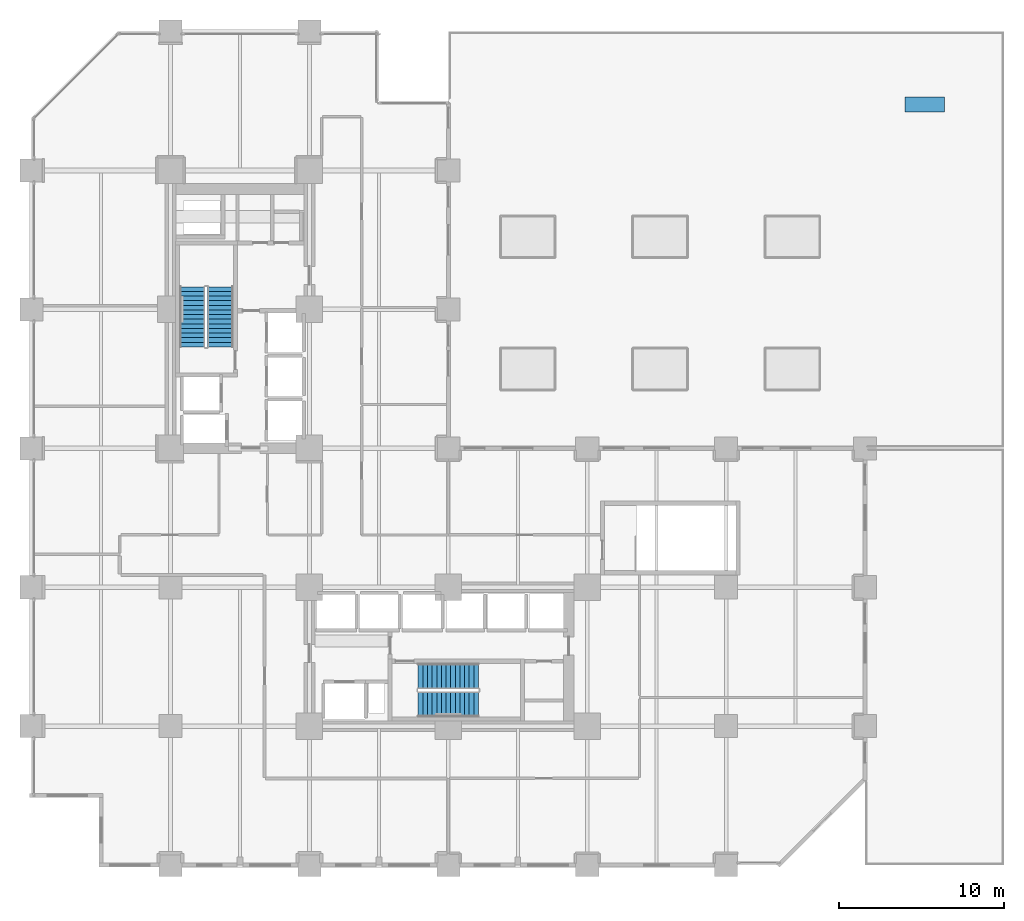
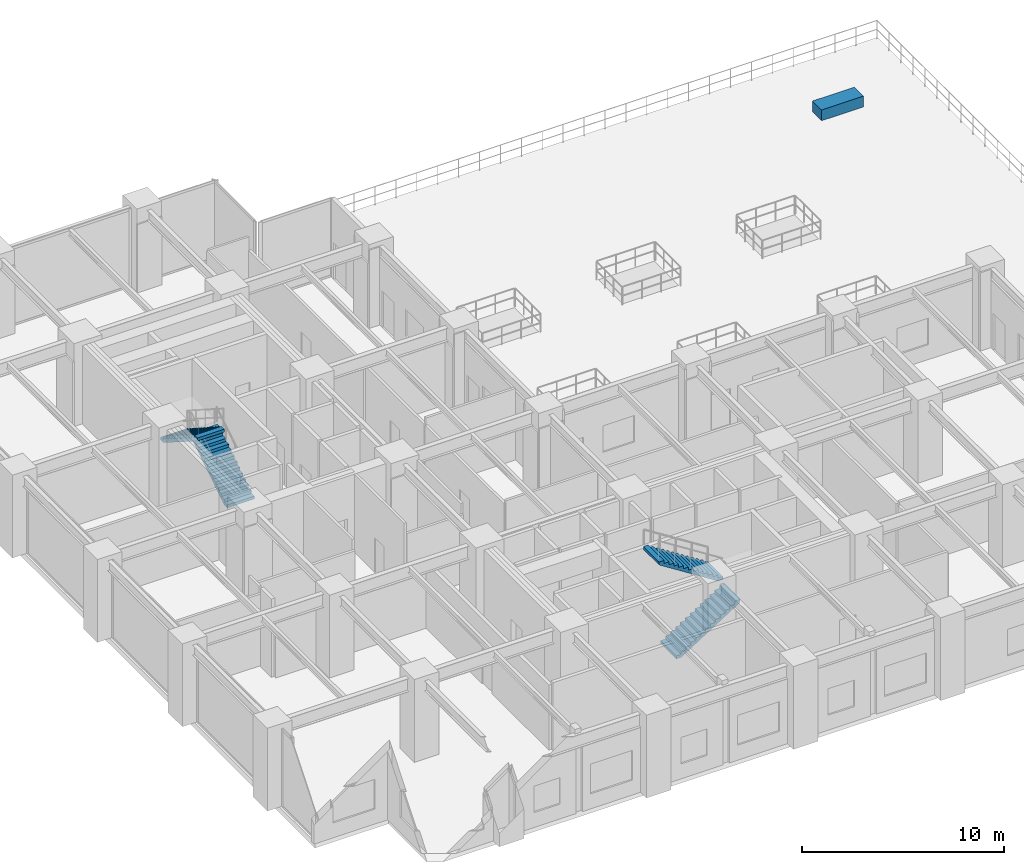
# One storey, part 17 of 21: 4 stair flights, 1 discrete accessory, 2 elements without a shape of their own.
"""IFC4 building model written with IfcOpenShell, lengths in metres."""

from ifc_helpers import new_model, si_unit, direction, frame, origin, origin_2d, place, context, subcontext, project, spatial, polyline, rectangle, outline, extrude, material, type_object, element, aggregate, save


model = new_model("IFC4")

# Units and contexts
model_context = context("Model", 3, precision=1e-05, world=origin(), true_north=direction((0.0, 1.0)))
body_context = subcontext(model_context, "Body", "Model", "MODEL_VIEW")
ifc_project = project(units=[si_unit("LENGTHUNIT", "METRE"), si_unit("AREAUNIT", "SQUARE_METRE"), si_unit("VOLUMEUNIT", "CUBIC_METRE"), si_unit("PLANEANGLEUNIT", "RADIAN"), si_unit("MASSUNIT", "GRAM", prefix="KILO")], contexts=[model_context])

# Site, building, storey
site_placement = place(None, origin())
site = spatial("IfcSite", under=ifc_project, at=site_placement, CompositionType="ELEMENT")
building_placement = place(site_placement, origin())
building = spatial("IfcBuilding", under=site, at=building_placement, Name="Nerrivon Quay Data Exchange", CompositionType="ELEMENT")
storey_placement = place(building_placement, frame((0.0, 0.0, 19.800048828125)))
storey = spatial("IfcBuildingStorey", under=building, at=storey_placement, Name="L04", CompositionType="ELEMENT", Elevation=19.800048828125)

# Stair, stair flights
ifc_material_1 = material(Name="Concrete N50 (50 MPa)", Category="concrete")
stair_type = type_object("IfcStairType", Name="STAIR-DOG-50", PredefinedType="HALF_TURN_STAIR", material=ifc_material_1)
stair_1_placement = place(storey_placement, origin())
stair_1 = element("IfcStair", 1, at=stair_1_placement, inside=storey, type_object=stair_type, Name="L04 West Core Fire Stair ST01", PredefinedType="HALF_TURN_STAIR")
stair_flight_type = type_object("IfcStairFlightType", Name="FLIGHT-DOG-50", PredefinedType="STRAIGHT", material=ifc_material_1)
stair_flight_1_placement = place(storey_placement, frame((11.425048828125, 31.330078125, 0.0), z_axis=(0.0, 0.0, 1.0), x_axis=(0.0, 1.0, 0.0)))
stair_flight_1 = element("IfcStairFlight", 2, at=stair_flight_1_placement, type_object=stair_flight_type, Name="ST01 flight 1", NumberOfRisers=14, NumberOfTreads=13, PredefinedType="STRAIGHT", RiserHeight=0.178571429, TreadLength=0.28, context=body_context, shape_type="SweptSolid", body=[
    extrude(outline(polyline([(0.0, 0.0), (0.0, 0.178466796875), (0.280029296875, 0.178466796875), (0.280029296875, 0.357177734375), (0.56005859375, 0.357177734375), (0.56005859375, 0.53564453125), (0.840087890625, 0.53564453125), (0.840087890625, 0.71435546875), (1.1201171875, 0.71435546875), (1.1201171875, 0.892822265625), (1.39990234375, 0.892822265625), (1.39990234375, 1.071533203125), (1.679931640625, 1.071533203125), (1.679931640625, 1.25), (1.9599609375, 1.25), (1.9599609375, 1.428466796875), (2.239990234375, 1.428466796875), (2.239990234375, 1.607177734375), (2.52001953125, 1.607177734375), (2.52001953125, 1.78564453125), (2.800048828125, 1.78564453125), (2.800048828125, 1.96435546875), (3.080078125, 1.96435546875), (3.080078125, 2.142822265625), (3.360107421875, 2.142822265625), (3.360107421875, 2.321533203125), (3.639892578125, 2.321533203125), (3.639892578125, 2.5), (3.639892578125, 2.1435546875), (0.27880859375, 0.0), (0.0, 0.0)])), frame((0.0, 0.77490234375, 0.0), z_axis=(0.0, -1.0, 0.0), x_axis=(1.0, 0.0, 0.0)), (0.0, 0.0, 1.0), 1.550048828125),
])
stair_flight_2_placement = place(storey_placement, frame((9.72509765625, 34.969970703125, 2.5), z_axis=(0.0, 0.0, 1.0), x_axis=(0.0, -1.0, 0.0)))
stair_flight_2 = element("IfcStairFlight", 3, at=stair_flight_2_placement, type_object=stair_flight_type, Name="ST01 flight 2", NumberOfRisers=14, NumberOfTreads=13, PredefinedType="STRAIGHT", RiserHeight=0.178571429, TreadLength=0.28, context=body_context, shape_type="SweptSolid", body=[
    extrude(outline(polyline([(0.0, 0.0), (0.0, 0.178466796875), (0.280029296875, 0.178466796875), (0.280029296875, 0.357177734375), (0.56005859375, 0.357177734375), (0.56005859375, 0.53564453125), (0.840087890625, 0.53564453125), (0.840087890625, 0.71435546875), (1.1201171875, 0.71435546875), (1.1201171875, 0.892822265625), (1.39990234375, 0.892822265625), (1.39990234375, 1.071533203125), (1.679931640625, 1.071533203125), (1.679931640625, 1.25), (1.9599609375, 1.25), (1.9599609375, 1.428466796875), (2.239990234375, 1.428466796875), (2.239990234375, 1.607177734375), (2.52001953125, 1.607177734375), (2.52001953125, 1.78564453125), (2.800048828125, 1.78564453125), (2.800048828125, 1.96435546875), (3.080078125, 1.96435546875), (3.080078125, 2.142822265625), (3.360107421875, 2.142822265625), (3.360107421875, 2.321533203125), (3.639892578125, 2.321533203125), (3.639892578125, 2.5), (3.639892578125, 2.1435546875), (0.27880859375, 0.0), (0.0, 0.0)])), frame((0.0, 0.77490234375, 0.0), z_axis=(0.0, -1.0, 0.0), x_axis=(1.0, 0.0, 0.0)), (0.0, 0.0, 1.0), 1.550048828125),
])
aggregate(stair_1, [stair_flight_1, stair_flight_2])

stair_2_placement = place(storey_placement, origin())
stair_2 = element("IfcStair", 4, at=stair_2_placement, inside=storey, type_object=stair_type, Name="L04 East Core Fire Stair ST02", PredefinedType="HALF_TURN_STAIR")
stair_flight_3_placement = place(storey_placement, frame((23.3798828125, 9.72509765625, 0.0), z_axis=(0.0, 0.0, 1.0), x_axis=(1.0, 0.0, 0.0)))
stair_flight_3 = element("IfcStairFlight", 5, at=stair_flight_3_placement, type_object=stair_flight_type, Name="ST02 flight 1", NumberOfRisers=14, NumberOfTreads=13, PredefinedType="STRAIGHT", RiserHeight=0.178571429, TreadLength=0.28, context=body_context, shape_type="SweptSolid", body=[
    extrude(outline(polyline([(0.0, 0.0), (0.0, 0.178466796875), (0.280029296875, 0.178466796875), (0.280029296875, 0.357177734375), (0.56005859375, 0.357177734375), (0.56005859375, 0.53564453125), (0.840087890625, 0.53564453125), (0.840087890625, 0.71435546875), (1.1201171875, 0.71435546875), (1.1201171875, 0.892822265625), (1.39990234375, 0.892822265625), (1.39990234375, 1.071533203125), (1.679931640625, 1.071533203125), (1.679931640625, 1.25), (1.9599609375, 1.25), (1.9599609375, 1.428466796875), (2.239990234375, 1.428466796875), (2.239990234375, 1.607177734375), (2.52001953125, 1.607177734375), (2.52001953125, 1.78564453125), (2.800048828125, 1.78564453125), (2.800048828125, 1.96435546875), (3.080078125, 1.96435546875), (3.080078125, 2.142822265625), (3.360107421875, 2.142822265625), (3.360107421875, 2.321533203125), (3.639892578125, 2.321533203125), (3.639892578125, 2.5), (3.639892578125, 2.1435546875), (0.27880859375, 0.0), (0.0, 0.0)])), frame((0.0, 0.77490234375, 0.0), z_axis=(0.0, -1.0, 0.0), x_axis=(1.0, 0.0, 0.0)), (0.0, 0.0, 1.0), 1.550048828125),
])
stair_flight_4_placement = place(storey_placement, frame((27.02001953125, 11.425048828125, 2.5), z_axis=(0.0, 0.0, 1.0), x_axis=(-1.0, 0.0, 0.0)))
stair_flight_4 = element("IfcStairFlight", 6, at=stair_flight_4_placement, type_object=stair_flight_type, Name="ST02 flight 2", NumberOfRisers=14, NumberOfTreads=13, PredefinedType="STRAIGHT", RiserHeight=0.178571429, TreadLength=0.28, context=body_context, shape_type="SweptSolid", body=[
    extrude(outline(polyline([(0.0, 0.0), (0.0, 0.178466796875), (0.280029296875, 0.178466796875), (0.280029296875, 0.357177734375), (0.56005859375, 0.357177734375), (0.56005859375, 0.53564453125), (0.840087890625, 0.53564453125), (0.840087890625, 0.71435546875), (1.1201171875, 0.71435546875), (1.1201171875, 0.892822265625), (1.39990234375, 0.892822265625), (1.39990234375, 1.071533203125), (1.679931640625, 1.071533203125), (1.679931640625, 1.25), (1.9599609375, 1.25), (1.9599609375, 1.428466796875), (2.239990234375, 1.428466796875), (2.239990234375, 1.607177734375), (2.52001953125, 1.607177734375), (2.52001953125, 1.78564453125), (2.800048828125, 1.78564453125), (2.800048828125, 1.96435546875), (3.080078125, 1.96435546875), (3.080078125, 2.142822265625), (3.360107421875, 2.142822265625), (3.360107421875, 2.321533203125), (3.639892578125, 2.321533203125), (3.639892578125, 2.5), (3.639892578125, 2.1435546875), (0.27880859375, 0.0), (0.0, 0.0)])), frame((0.0, 0.77490234375, 0.0), z_axis=(0.0, -1.0, 0.0), x_axis=(1.0, 0.0, 0.0)), (0.0, 0.0, 1.0), 1.550048828125),
])
aggregate(stair_2, [stair_flight_3, stair_flight_4])

# Discrete accessory
ifc_material_2 = material(Name="Precast concrete N50 (50 MPa)", Category="concrete")
discrete_accessory_type = type_object("IfcDiscreteAccessoryType", Name="ACC-PLANTER-1", PredefinedType="USERDEFINED", material=ifc_material_2)
discrete_accessory_placement = place(storey_placement, frame((54.0, 46.0, 0.0), z_axis=(0.0, 0.0, 1.0), x_axis=(1.0, 0.0, 0.0)))
element("IfcDiscreteAccessory", 7, at=discrete_accessory_placement, inside=storey, type_object=discrete_accessory_type, Name="L04 Subtropical Sky-Garden Planter 1", ObjectType="PLANTER", PredefinedType="USERDEFINED", context=body_context, shape_type="SweptSolid", body=[
    extrude(rectangle(XDim=2.39990234375, YDim=0.89990234375, at=origin_2d()), origin(), (0.0, 0.0, 1.0), 0.64990234375),
])

save(model, "model.ifc")
